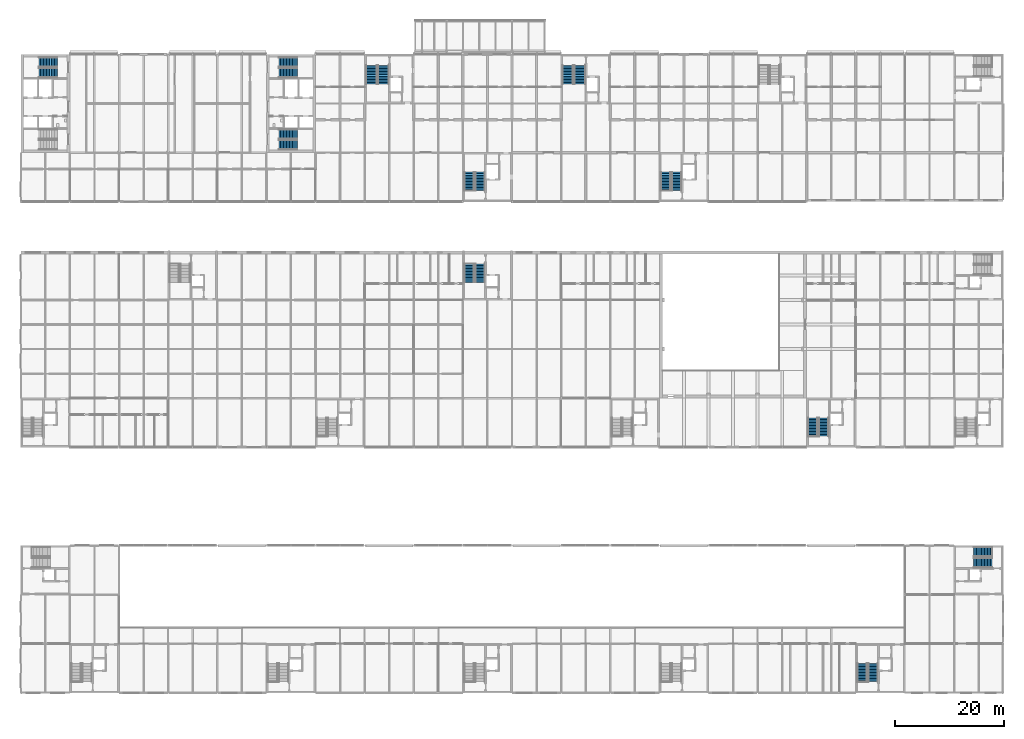
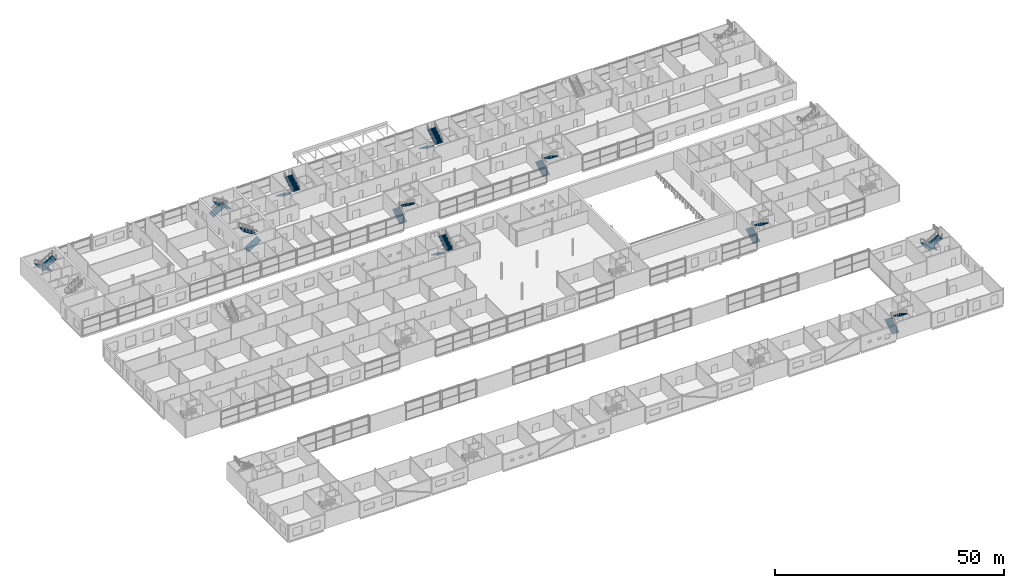
# One storey, part 88 of 97: 22 stair flights, 11 elements without a shape of their own.
"""IFC4 building model written with IfcOpenShell, lengths in metres."""

from ifc_helpers import new_model, si_unit, direction, frame, origin, place, context, subcontext, project, spatial, polyline, outline, extrude, material, type_object, element, aggregate, save


model = new_model("IFC4")

# Units and contexts
model_context = context("Model", 3, precision=1e-05, world=origin(), true_north=direction((0.0, 1.0)))
body_context = subcontext(model_context, "Body", "Model", "MODEL_VIEW")
ifc_project = project(units=[si_unit("LENGTHUNIT", "METRE"), si_unit("AREAUNIT", "SQUARE_METRE"), si_unit("VOLUMEUNIT", "CUBIC_METRE"), si_unit("PLANEANGLEUNIT", "RADIAN"), si_unit("MASSUNIT", "GRAM", prefix="KILO")], contexts=[model_context])

# Site, building, storey
site_placement = place(None, origin())
site = spatial("IfcSite", under=ifc_project, at=site_placement, CompositionType="ELEMENT")
building_placement = place(site_placement, origin())
building = spatial("IfcBuilding", under=site, at=building_placement, Name="Corbel Yard City Hall", CompositionType="ELEMENT")
storey_placement = place(building_placement, frame((0.0, 0.0, 6.0)))
storey = spatial("IfcBuildingStorey", under=building, at=storey_placement, Name="L01", CompositionType="ELEMENT", Elevation=6.0)

# Stair, stair flights
ifc_material = material(Name="Concrete N40 (40 MPa)", Category="concrete")
stair_type_1 = type_object("IfcStairType", Name="ST1", PredefinedType="HALF_TURN_STAIR", material=ifc_material)
stair_1_placement = place(storey_placement, origin())
stair_1 = element("IfcStair", 1, at=stair_1_placement, inside=storey, type_object=stair_type_1, Name="Exit stair L01", PredefinedType="HALF_TURN_STAIR")
stair_flight_type_1 = type_object("IfcStairFlightType", Name="FL1", PredefinedType="STRAIGHT", material=ifc_material)
stair_flight_1_placement = place(storey_placement, frame((154.14990234375, 2.050048828125, 0.0), z_axis=(0.0, 0.0, 1.0), x_axis=(0.0, 1.0, 0.0)))
stair_flight_1 = element("IfcStairFlight", 2, at=stair_flight_1_placement, type_object=stair_flight_type_1, Name="PS5 flight 1", NumberOfRisers=13, NumberOfTreads=12, PredefinedType="STRAIGHT", RiserHeight=0.173077, TreadLength=0.28, context=body_context, shape_type="SweptSolid", body=[
    extrude(outline(polyline([(0.0, 0.0), (0.0, 0.173095703125), (0.280029296875, 0.173095703125), (0.280029296875, 0.34619140625), (0.56005859375, 0.34619140625), (0.56005859375, 0.519287109375), (0.840087890625, 0.519287109375), (0.840087890625, 0.6923828125), (1.1201171875, 0.6923828125), (1.1201171875, 0.865478515625), (1.39990234375, 0.865478515625), (1.39990234375, 1.03857421875), (1.679931640625, 1.03857421875), (1.679931640625, 1.21142578125), (1.9599609375, 1.21142578125), (1.9599609375, 1.384521484375), (2.239990234375, 1.384521484375), (2.239990234375, 1.5576171875), (2.52001953125, 1.5576171875), (2.52001953125, 1.730712890625), (2.800048828125, 1.730712890625), (2.800048828125, 1.90380859375), (3.080078125, 1.90380859375), (3.080078125, 2.076904296875), (3.360107421875, 2.076904296875), (3.360107421875, 2.25), (3.360107421875, 1.900634765625), (0.28515625, 0.0), (0.0, 0.0)])), frame((0.0, 0.89990234375, 0.0), z_axis=(0.0, -1.0, 0.0), x_axis=(1.0, 0.0, 0.0)), (0.0, 0.0, 1.0), 1.800048828125),
])
stair_flight_2_placement = place(storey_placement, frame((156.14990234375, 5.409912109375, 2.25), z_axis=(0.0, 0.0, 1.0), x_axis=(0.0, -1.0, 0.0)))
stair_flight_2 = element("IfcStairFlight", 3, at=stair_flight_2_placement, type_object=stair_flight_type_1, Name="PS5 flight 2", NumberOfRisers=13, NumberOfTreads=12, PredefinedType="STRAIGHT", RiserHeight=0.173077, TreadLength=0.28, context=body_context, shape_type="SweptSolid", body=[
    extrude(outline(polyline([(0.0, 0.0), (0.0, 0.173095703125), (0.280029296875, 0.173095703125), (0.280029296875, 0.34619140625), (0.56005859375, 0.34619140625), (0.56005859375, 0.519287109375), (0.840087890625, 0.519287109375), (0.840087890625, 0.6923828125), (1.1201171875, 0.6923828125), (1.1201171875, 0.865478515625), (1.39990234375, 0.865478515625), (1.39990234375, 1.03857421875), (1.679931640625, 1.03857421875), (1.679931640625, 1.21142578125), (1.9599609375, 1.21142578125), (1.9599609375, 1.384521484375), (2.239990234375, 1.384521484375), (2.239990234375, 1.5576171875), (2.52001953125, 1.5576171875), (2.52001953125, 1.730712890625), (2.800048828125, 1.730712890625), (2.800048828125, 1.90380859375), (3.080078125, 1.90380859375), (3.080078125, 2.076904296875), (3.360107421875, 2.076904296875), (3.360107421875, 2.25), (3.360107421875, 1.900634765625), (0.28515625, 0.0), (0.0, 0.0)])), frame((0.0, 0.89990234375, 0.0), z_axis=(0.0, -1.0, 0.0), x_axis=(1.0, 0.0, 0.0)), (0.0, 0.0, 1.0), 1.800048828125),
])
aggregate(stair_1, [stair_flight_1, stair_flight_2])

stair_2_placement = place(storey_placement, origin())
stair_2 = element("IfcStair", 4, at=stair_2_placement, inside=storey, type_object=stair_type_1, Name="Exit stair L01", PredefinedType="HALF_TURN_STAIR")
stair_flight_3_placement = place(storey_placement, frame((177.949951171875, 25.85009765625, 0.0), z_axis=(0.0, 0.0, 1.0), x_axis=(-1.0, 0.0, 0.0)))
stair_flight_3 = element("IfcStairFlight", 5, at=stair_flight_3_placement, type_object=stair_flight_type_1, Name="PS7 flight 1", NumberOfRisers=13, NumberOfTreads=12, PredefinedType="STRAIGHT", RiserHeight=0.173077, TreadLength=0.28, context=body_context, shape_type="SweptSolid", body=[
    extrude(outline(polyline([(0.0, 0.0), (0.0, 0.173095703125), (0.280029296875, 0.173095703125), (0.280029296875, 0.34619140625), (0.56005859375, 0.34619140625), (0.56005859375, 0.519287109375), (0.840087890625, 0.519287109375), (0.840087890625, 0.6923828125), (1.1201171875, 0.6923828125), (1.1201171875, 0.865478515625), (1.39990234375, 0.865478515625), (1.39990234375, 1.03857421875), (1.679931640625, 1.03857421875), (1.679931640625, 1.21142578125), (1.9599609375, 1.21142578125), (1.9599609375, 1.384521484375), (2.239990234375, 1.384521484375), (2.239990234375, 1.5576171875), (2.52001953125, 1.5576171875), (2.52001953125, 1.730712890625), (2.800048828125, 1.730712890625), (2.800048828125, 1.90380859375), (3.080078125, 1.90380859375), (3.080078125, 2.076904296875), (3.360107421875, 2.076904296875), (3.360107421875, 2.25), (3.360107421875, 1.900634765625), (0.28515625, 0.0), (0.0, 0.0)])), frame((0.0, 0.89990234375, 0.0), z_axis=(0.0, -1.0, 0.0), x_axis=(1.0, 0.0, 0.0)), (0.0, 0.0, 1.0), 1.800048828125),
])
stair_flight_4_placement = place(storey_placement, frame((174.590087890625, 23.85009765625, 2.25), z_axis=(0.0, 0.0, 1.0), x_axis=(1.0, 0.0, 0.0)))
stair_flight_4 = element("IfcStairFlight", 6, at=stair_flight_4_placement, type_object=stair_flight_type_1, Name="PS7 flight 2", NumberOfRisers=13, NumberOfTreads=12, PredefinedType="STRAIGHT", RiserHeight=0.173077, TreadLength=0.28, context=body_context, shape_type="SweptSolid", body=[
    extrude(outline(polyline([(0.0, 0.0), (0.0, 0.173095703125), (0.280029296875, 0.173095703125), (0.280029296875, 0.34619140625), (0.56005859375, 0.34619140625), (0.56005859375, 0.519287109375), (0.840087890625, 0.519287109375), (0.840087890625, 0.6923828125), (1.1201171875, 0.6923828125), (1.1201171875, 0.865478515625), (1.39990234375, 0.865478515625), (1.39990234375, 1.03857421875), (1.679931640625, 1.03857421875), (1.679931640625, 1.21142578125), (1.9599609375, 1.21142578125), (1.9599609375, 1.384521484375), (2.239990234375, 1.384521484375), (2.239990234375, 1.5576171875), (2.52001953125, 1.5576171875), (2.52001953125, 1.730712890625), (2.800048828125, 1.730712890625), (2.800048828125, 1.90380859375), (3.080078125, 1.90380859375), (3.080078125, 2.076904296875), (3.360107421875, 2.076904296875), (3.360107421875, 2.25), (3.360107421875, 1.900634765625), (0.28515625, 0.0), (0.0, 0.0)])), frame((0.0, 0.89990234375, 0.0), z_axis=(0.0, -1.0, 0.0), x_axis=(1.0, 0.0, 0.0)), (0.0, 0.0, 1.0), 1.800048828125),
])
aggregate(stair_2, [stair_flight_3, stair_flight_4])

stair_3_placement = place(storey_placement, origin())
stair_3 = element("IfcStair", 7, at=stair_3_placement, inside=storey, type_object=stair_type_1, Name="Exit stair L01", PredefinedType="HALF_TURN_STAIR")
stair_flight_5_placement = place(storey_placement, frame((145.14990234375, 47.050048828125, 0.0), z_axis=(0.0, 0.0, 1.0), x_axis=(0.0, 1.0, 0.0)))
stair_flight_5 = element("IfcStairFlight", 8, at=stair_flight_5_placement, type_object=stair_flight_type_1, Name="PS11 flight 1", NumberOfRisers=13, NumberOfTreads=12, PredefinedType="STRAIGHT", RiserHeight=0.173077, TreadLength=0.28, context=body_context, shape_type="SweptSolid", body=[
    extrude(outline(polyline([(0.0, 0.0), (0.0, 0.173095703125), (0.280029296875, 0.173095703125), (0.280029296875, 0.34619140625), (0.56005859375, 0.34619140625), (0.56005859375, 0.519287109375), (0.840087890625, 0.519287109375), (0.840087890625, 0.6923828125), (1.1201171875, 0.6923828125), (1.1201171875, 0.865478515625), (1.39990234375, 0.865478515625), (1.39990234375, 1.03857421875), (1.679931640625, 1.03857421875), (1.679931640625, 1.21142578125), (1.9599609375, 1.21142578125), (1.9599609375, 1.384521484375), (2.239990234375, 1.384521484375), (2.239990234375, 1.5576171875), (2.52001953125, 1.5576171875), (2.52001953125, 1.730712890625), (2.800048828125, 1.730712890625), (2.800048828125, 1.90380859375), (3.080078125, 1.90380859375), (3.080078125, 2.076904296875), (3.360107421875, 2.076904296875), (3.360107421875, 2.25), (3.360107421875, 1.900634765625), (0.28515625, 0.0), (0.0, 0.0)])), frame((0.0, 0.89990234375, 0.0), z_axis=(0.0, -1.0, 0.0), x_axis=(1.0, 0.0, 0.0)), (0.0, 0.0, 1.0), 1.800048828125),
])
stair_flight_6_placement = place(storey_placement, frame((147.14990234375, 50.409912109375, 2.25), z_axis=(0.0, 0.0, 1.0), x_axis=(0.0, -1.0, 0.0)))
stair_flight_6 = element("IfcStairFlight", 9, at=stair_flight_6_placement, type_object=stair_flight_type_1, Name="PS11 flight 2", NumberOfRisers=13, NumberOfTreads=12, PredefinedType="STRAIGHT", RiserHeight=0.173077, TreadLength=0.28, context=body_context, shape_type="SweptSolid", body=[
    extrude(outline(polyline([(0.0, 0.0), (0.0, 0.173095703125), (0.280029296875, 0.173095703125), (0.280029296875, 0.34619140625), (0.56005859375, 0.34619140625), (0.56005859375, 0.519287109375), (0.840087890625, 0.519287109375), (0.840087890625, 0.6923828125), (1.1201171875, 0.6923828125), (1.1201171875, 0.865478515625), (1.39990234375, 0.865478515625), (1.39990234375, 1.03857421875), (1.679931640625, 1.03857421875), (1.679931640625, 1.21142578125), (1.9599609375, 1.21142578125), (1.9599609375, 1.384521484375), (2.239990234375, 1.384521484375), (2.239990234375, 1.5576171875), (2.52001953125, 1.5576171875), (2.52001953125, 1.730712890625), (2.800048828125, 1.730712890625), (2.800048828125, 1.90380859375), (3.080078125, 1.90380859375), (3.080078125, 2.076904296875), (3.360107421875, 2.076904296875), (3.360107421875, 2.25), (3.360107421875, 1.900634765625), (0.28515625, 0.0), (0.0, 0.0)])), frame((0.0, 0.89990234375, 0.0), z_axis=(0.0, -1.0, 0.0), x_axis=(1.0, 0.0, 0.0)), (0.0, 0.0, 1.0), 1.800048828125),
])
aggregate(stair_3, [stair_flight_5, stair_flight_6])

stair_4_placement = place(storey_placement, origin())
stair_4 = element("IfcStair", 10, at=stair_4_placement, inside=storey, type_object=stair_type_1, Name="Exit stair L01", PredefinedType="HALF_TURN_STAIR")
stair_flight_7_placement = place(storey_placement, frame((82.14990234375, 78.60009765625, 0.0), z_axis=(0.0, 0.0, 1.0), x_axis=(0.0, -1.0, 0.0)))
stair_flight_7 = element("IfcStairFlight", 11, at=stair_flight_7_placement, type_object=stair_flight_type_1, Name="PS14 flight 1", NumberOfRisers=13, NumberOfTreads=12, PredefinedType="STRAIGHT", RiserHeight=0.173077, TreadLength=0.28, context=body_context, shape_type="SweptSolid", body=[
    extrude(outline(polyline([(0.0, 0.0), (0.0, 0.173095703125), (0.280029296875, 0.173095703125), (0.280029296875, 0.34619140625), (0.56005859375, 0.34619140625), (0.56005859375, 0.519287109375), (0.840087890625, 0.519287109375), (0.840087890625, 0.6923828125), (1.1201171875, 0.6923828125), (1.1201171875, 0.865478515625), (1.39990234375, 0.865478515625), (1.39990234375, 1.03857421875), (1.679931640625, 1.03857421875), (1.679931640625, 1.21142578125), (1.9599609375, 1.21142578125), (1.9599609375, 1.384521484375), (2.239990234375, 1.384521484375), (2.239990234375, 1.5576171875), (2.52001953125, 1.5576171875), (2.52001953125, 1.730712890625), (2.800048828125, 1.730712890625), (2.800048828125, 1.90380859375), (3.080078125, 1.90380859375), (3.080078125, 2.076904296875), (3.360107421875, 2.076904296875), (3.360107421875, 2.25), (3.360107421875, 1.900634765625), (0.28515625, 0.0), (0.0, 0.0)])), frame((0.0, 0.89990234375, 0.0), z_axis=(0.0, -1.0, 0.0), x_axis=(1.0, 0.0, 0.0)), (0.0, 0.0, 1.0), 1.800048828125),
])
stair_flight_8_placement = place(storey_placement, frame((84.14990234375, 75.239990234375, 2.25), z_axis=(0.0, 0.0, 1.0), x_axis=(0.0, 1.0, 0.0)))
stair_flight_8 = element("IfcStairFlight", 12, at=stair_flight_8_placement, type_object=stair_flight_type_1, Name="PS14 flight 2", NumberOfRisers=13, NumberOfTreads=12, PredefinedType="STRAIGHT", RiserHeight=0.173077, TreadLength=0.28, context=body_context, shape_type="SweptSolid", body=[
    extrude(outline(polyline([(0.0, 0.0), (0.0, 0.173095703125), (0.280029296875, 0.173095703125), (0.280029296875, 0.34619140625), (0.56005859375, 0.34619140625), (0.56005859375, 0.519287109375), (0.840087890625, 0.519287109375), (0.840087890625, 0.6923828125), (1.1201171875, 0.6923828125), (1.1201171875, 0.865478515625), (1.39990234375, 0.865478515625), (1.39990234375, 1.03857421875), (1.679931640625, 1.03857421875), (1.679931640625, 1.21142578125), (1.9599609375, 1.21142578125), (1.9599609375, 1.384521484375), (2.239990234375, 1.384521484375), (2.239990234375, 1.5576171875), (2.52001953125, 1.5576171875), (2.52001953125, 1.730712890625), (2.800048828125, 1.730712890625), (2.800048828125, 1.90380859375), (3.080078125, 1.90380859375), (3.080078125, 2.076904296875), (3.360107421875, 2.076904296875), (3.360107421875, 2.25), (3.360107421875, 1.900634765625), (0.28515625, 0.0), (0.0, 0.0)])), frame((0.0, 0.89990234375, 0.0), z_axis=(0.0, -1.0, 0.0), x_axis=(1.0, 0.0, 0.0)), (0.0, 0.0, 1.0), 1.800048828125),
])
aggregate(stair_4, [stair_flight_7, stair_flight_8])

stair_5_placement = place(storey_placement, origin())
stair_5 = element("IfcStair", 13, at=stair_5_placement, inside=storey, type_object=stair_type_1, Name="Exit stair L01", PredefinedType="HALF_TURN_STAIR")
stair_flight_9_placement = place(storey_placement, frame((82.14990234375, 92.050048828125, 0.0), z_axis=(0.0, 0.0, 1.0), x_axis=(0.0, 1.0, 0.0)))
stair_flight_9 = element("IfcStairFlight", 14, at=stair_flight_9_placement, type_object=stair_flight_type_1, Name="PS20 flight 1", NumberOfRisers=13, NumberOfTreads=12, PredefinedType="STRAIGHT", RiserHeight=0.173077, TreadLength=0.28, context=body_context, shape_type="SweptSolid", body=[
    extrude(outline(polyline([(0.0, 0.0), (0.0, 0.173095703125), (0.280029296875, 0.173095703125), (0.280029296875, 0.34619140625), (0.56005859375, 0.34619140625), (0.56005859375, 0.519287109375), (0.840087890625, 0.519287109375), (0.840087890625, 0.6923828125), (1.1201171875, 0.6923828125), (1.1201171875, 0.865478515625), (1.39990234375, 0.865478515625), (1.39990234375, 1.03857421875), (1.679931640625, 1.03857421875), (1.679931640625, 1.21142578125), (1.9599609375, 1.21142578125), (1.9599609375, 1.384521484375), (2.239990234375, 1.384521484375), (2.239990234375, 1.5576171875), (2.52001953125, 1.5576171875), (2.52001953125, 1.730712890625), (2.800048828125, 1.730712890625), (2.800048828125, 1.90380859375), (3.080078125, 1.90380859375), (3.080078125, 2.076904296875), (3.360107421875, 2.076904296875), (3.360107421875, 2.25), (3.360107421875, 1.900634765625), (0.28515625, 0.0), (0.0, 0.0)])), frame((0.0, 0.89990234375, 0.0), z_axis=(0.0, -1.0, 0.0), x_axis=(1.0, 0.0, 0.0)), (0.0, 0.0, 1.0), 1.800048828125),
])
stair_flight_10_placement = place(storey_placement, frame((84.14990234375, 95.409912109375, 2.25), z_axis=(0.0, 0.0, 1.0), x_axis=(0.0, -1.0, 0.0)))
stair_flight_10 = element("IfcStairFlight", 15, at=stair_flight_10_placement, type_object=stair_flight_type_1, Name="PS20 flight 2", NumberOfRisers=13, NumberOfTreads=12, PredefinedType="STRAIGHT", RiserHeight=0.173077, TreadLength=0.28, context=body_context, shape_type="SweptSolid", body=[
    extrude(outline(polyline([(0.0, 0.0), (0.0, 0.173095703125), (0.280029296875, 0.173095703125), (0.280029296875, 0.34619140625), (0.56005859375, 0.34619140625), (0.56005859375, 0.519287109375), (0.840087890625, 0.519287109375), (0.840087890625, 0.6923828125), (1.1201171875, 0.6923828125), (1.1201171875, 0.865478515625), (1.39990234375, 0.865478515625), (1.39990234375, 1.03857421875), (1.679931640625, 1.03857421875), (1.679931640625, 1.21142578125), (1.9599609375, 1.21142578125), (1.9599609375, 1.384521484375), (2.239990234375, 1.384521484375), (2.239990234375, 1.5576171875), (2.52001953125, 1.5576171875), (2.52001953125, 1.730712890625), (2.800048828125, 1.730712890625), (2.800048828125, 1.90380859375), (3.080078125, 1.90380859375), (3.080078125, 2.076904296875), (3.360107421875, 2.076904296875), (3.360107421875, 2.25), (3.360107421875, 1.900634765625), (0.28515625, 0.0), (0.0, 0.0)])), frame((0.0, 0.89990234375, 0.0), z_axis=(0.0, -1.0, 0.0), x_axis=(1.0, 0.0, 0.0)), (0.0, 0.0, 1.0), 1.800048828125),
])
aggregate(stair_5, [stair_flight_9, stair_flight_10])

stair_6_placement = place(storey_placement, origin())
stair_6 = element("IfcStair", 16, at=stair_6_placement, inside=storey, type_object=stair_type_1, Name="Exit stair L01", PredefinedType="HALF_TURN_STAIR")
stair_flight_11_placement = place(storey_placement, frame((118.14990234375, 92.050048828125, 0.0), z_axis=(0.0, 0.0, 1.0), x_axis=(0.0, 1.0, 0.0)))
stair_flight_11 = element("IfcStairFlight", 17, at=stair_flight_11_placement, type_object=stair_flight_type_1, Name="PS21 flight 1", NumberOfRisers=13, NumberOfTreads=12, PredefinedType="STRAIGHT", RiserHeight=0.173077, TreadLength=0.28, context=body_context, shape_type="SweptSolid", body=[
    extrude(outline(polyline([(0.0, 0.0), (0.0, 0.173095703125), (0.280029296875, 0.173095703125), (0.280029296875, 0.34619140625), (0.56005859375, 0.34619140625), (0.56005859375, 0.519287109375), (0.840087890625, 0.519287109375), (0.840087890625, 0.6923828125), (1.1201171875, 0.6923828125), (1.1201171875, 0.865478515625), (1.39990234375, 0.865478515625), (1.39990234375, 1.03857421875), (1.679931640625, 1.03857421875), (1.679931640625, 1.21142578125), (1.9599609375, 1.21142578125), (1.9599609375, 1.384521484375), (2.239990234375, 1.384521484375), (2.239990234375, 1.5576171875), (2.52001953125, 1.5576171875), (2.52001953125, 1.730712890625), (2.800048828125, 1.730712890625), (2.800048828125, 1.90380859375), (3.080078125, 1.90380859375), (3.080078125, 2.076904296875), (3.360107421875, 2.076904296875), (3.360107421875, 2.25), (3.360107421875, 1.900634765625), (0.28515625, 0.0), (0.0, 0.0)])), frame((0.0, 0.89990234375, 0.0), z_axis=(0.0, -1.0, 0.0), x_axis=(1.0, 0.0, 0.0)), (0.0, 0.0, 1.0), 1.800048828125),
])
stair_flight_12_placement = place(storey_placement, frame((120.14990234375, 95.409912109375, 2.25), z_axis=(0.0, 0.0, 1.0), x_axis=(0.0, -1.0, 0.0)))
stair_flight_12 = element("IfcStairFlight", 18, at=stair_flight_12_placement, type_object=stair_flight_type_1, Name="PS21 flight 2", NumberOfRisers=13, NumberOfTreads=12, PredefinedType="STRAIGHT", RiserHeight=0.173077, TreadLength=0.28, context=body_context, shape_type="SweptSolid", body=[
    extrude(outline(polyline([(0.0, 0.0), (0.0, 0.173095703125), (0.280029296875, 0.173095703125), (0.280029296875, 0.34619140625), (0.56005859375, 0.34619140625), (0.56005859375, 0.519287109375), (0.840087890625, 0.519287109375), (0.840087890625, 0.6923828125), (1.1201171875, 0.6923828125), (1.1201171875, 0.865478515625), (1.39990234375, 0.865478515625), (1.39990234375, 1.03857421875), (1.679931640625, 1.03857421875), (1.679931640625, 1.21142578125), (1.9599609375, 1.21142578125), (1.9599609375, 1.384521484375), (2.239990234375, 1.384521484375), (2.239990234375, 1.5576171875), (2.52001953125, 1.5576171875), (2.52001953125, 1.730712890625), (2.800048828125, 1.730712890625), (2.800048828125, 1.90380859375), (3.080078125, 1.90380859375), (3.080078125, 2.076904296875), (3.360107421875, 2.076904296875), (3.360107421875, 2.25), (3.360107421875, 1.900634765625), (0.28515625, 0.0), (0.0, 0.0)])), frame((0.0, 0.89990234375, 0.0), z_axis=(0.0, -1.0, 0.0), x_axis=(1.0, 0.0, 0.0)), (0.0, 0.0, 1.0), 1.800048828125),
])
aggregate(stair_6, [stair_flight_11, stair_flight_12])

stair_7_placement = place(storey_placement, origin())
stair_7 = element("IfcStair", 19, at=stair_7_placement, inside=storey, type_object=stair_type_1, Name="Exit stair ST-W2 L01", PredefinedType="HALF_TURN_STAIR")
stair_flight_13_placement = place(storey_placement, frame((6.699951171875, 115.60009765625, 0.0), z_axis=(0.0, 0.0, 1.0), x_axis=(-1.0, 0.0, 0.0)))
stair_flight_13 = element("IfcStairFlight", 20, at=stair_flight_13_placement, type_object=stair_flight_type_1, Name="ST-W2 flight 1", NumberOfRisers=13, NumberOfTreads=12, PredefinedType="STRAIGHT", RiserHeight=0.173077, TreadLength=0.28, context=body_context, shape_type="SweptSolid", body=[
    extrude(outline(polyline([(0.0, 0.0), (0.0, 0.173095703125), (0.280029296875, 0.173095703125), (0.280029296875, 0.34619140625), (0.56005859375, 0.34619140625), (0.56005859375, 0.519287109375), (0.840087890625, 0.519287109375), (0.840087890625, 0.6923828125), (1.1201171875, 0.6923828125), (1.1201171875, 0.865478515625), (1.39990234375, 0.865478515625), (1.39990234375, 1.03857421875), (1.679931640625, 1.03857421875), (1.679931640625, 1.21142578125), (1.9599609375, 1.21142578125), (1.9599609375, 1.384521484375), (2.239990234375, 1.384521484375), (2.239990234375, 1.5576171875), (2.52001953125, 1.5576171875), (2.52001953125, 1.730712890625), (2.800048828125, 1.730712890625), (2.800048828125, 1.90380859375), (3.080078125, 1.90380859375), (3.080078125, 2.076904296875), (3.360107421875, 2.076904296875), (3.360107421875, 2.25), (3.360107421875, 1.900634765625), (0.28515625, 0.0), (0.0, 0.0)])), frame((0.0, 0.89990234375, 0.0), z_axis=(0.0, -1.0, 0.0), x_axis=(1.0, 0.0, 0.0)), (0.0, 0.0, 1.0), 1.800048828125),
])
stair_flight_14_placement = place(storey_placement, frame((3.340087890625, 113.60009765625, 2.25), z_axis=(0.0, 0.0, 1.0), x_axis=(1.0, 0.0, 0.0)))
stair_flight_14 = element("IfcStairFlight", 21, at=stair_flight_14_placement, type_object=stair_flight_type_1, Name="ST-W2 flight 2", NumberOfRisers=13, NumberOfTreads=12, PredefinedType="STRAIGHT", RiserHeight=0.173077, TreadLength=0.28, context=body_context, shape_type="SweptSolid", body=[
    extrude(outline(polyline([(0.0, 0.0), (0.0, 0.173095703125), (0.280029296875, 0.173095703125), (0.280029296875, 0.34619140625), (0.56005859375, 0.34619140625), (0.56005859375, 0.519287109375), (0.840087890625, 0.519287109375), (0.840087890625, 0.6923828125), (1.1201171875, 0.6923828125), (1.1201171875, 0.865478515625), (1.39990234375, 0.865478515625), (1.39990234375, 1.03857421875), (1.679931640625, 1.03857421875), (1.679931640625, 1.21142578125), (1.9599609375, 1.21142578125), (1.9599609375, 1.384521484375), (2.239990234375, 1.384521484375), (2.239990234375, 1.5576171875), (2.52001953125, 1.5576171875), (2.52001953125, 1.730712890625), (2.800048828125, 1.730712890625), (2.800048828125, 1.90380859375), (3.080078125, 1.90380859375), (3.080078125, 2.076904296875), (3.360107421875, 2.076904296875), (3.360107421875, 2.25), (3.360107421875, 1.900634765625), (0.28515625, 0.0), (0.0, 0.0)])), frame((0.0, 0.89990234375, 0.0), z_axis=(0.0, -1.0, 0.0), x_axis=(1.0, 0.0, 0.0)), (0.0, 0.0, 1.0), 1.800048828125),
])
aggregate(stair_7, [stair_flight_13, stair_flight_14])

stair_8_placement = place(storey_placement, origin())
stair_8 = element("IfcStair", 22, at=stair_8_placement, inside=storey, type_object=stair_type_1, Name="Exit stair ST-E1 L01", PredefinedType="HALF_TURN_STAIR")
stair_flight_15_placement = place(storey_placement, frame((47.300048828125, 100.39990234375, 0.0), z_axis=(0.0, 0.0, 1.0), x_axis=(1.0, 0.0, 0.0)))
stair_flight_15 = element("IfcStairFlight", 23, at=stair_flight_15_placement, type_object=stair_flight_type_1, Name="ST-E1 flight 1", NumberOfRisers=13, NumberOfTreads=12, PredefinedType="STRAIGHT", RiserHeight=0.173077, TreadLength=0.28, context=body_context, shape_type="SweptSolid", body=[
    extrude(outline(polyline([(0.0, 0.0), (0.0, 0.173095703125), (0.280029296875, 0.173095703125), (0.280029296875, 0.34619140625), (0.56005859375, 0.34619140625), (0.56005859375, 0.519287109375), (0.840087890625, 0.519287109375), (0.840087890625, 0.6923828125), (1.1201171875, 0.6923828125), (1.1201171875, 0.865478515625), (1.39990234375, 0.865478515625), (1.39990234375, 1.03857421875), (1.679931640625, 1.03857421875), (1.679931640625, 1.21142578125), (1.9599609375, 1.21142578125), (1.9599609375, 1.384521484375), (2.239990234375, 1.384521484375), (2.239990234375, 1.5576171875), (2.52001953125, 1.5576171875), (2.52001953125, 1.730712890625), (2.800048828125, 1.730712890625), (2.800048828125, 1.90380859375), (3.080078125, 1.90380859375), (3.080078125, 2.076904296875), (3.360107421875, 2.076904296875), (3.360107421875, 2.25), (3.360107421875, 1.900634765625), (0.28515625, 0.0), (0.0, 0.0)])), frame((0.0, 0.89990234375, 0.0), z_axis=(0.0, -1.0, 0.0), x_axis=(1.0, 0.0, 0.0)), (0.0, 0.0, 1.0), 1.800048828125),
])
stair_flight_16_placement = place(storey_placement, frame((50.659912109375, 102.39990234375, 2.25), z_axis=(0.0, 0.0, 1.0), x_axis=(-1.0, 0.0, 0.0)))
stair_flight_16 = element("IfcStairFlight", 24, at=stair_flight_16_placement, type_object=stair_flight_type_1, Name="ST-E1 flight 2", NumberOfRisers=13, NumberOfTreads=12, PredefinedType="STRAIGHT", RiserHeight=0.173077, TreadLength=0.28, context=body_context, shape_type="SweptSolid", body=[
    extrude(outline(polyline([(0.0, 0.0), (0.0, 0.173095703125), (0.280029296875, 0.173095703125), (0.280029296875, 0.34619140625), (0.56005859375, 0.34619140625), (0.56005859375, 0.519287109375), (0.840087890625, 0.519287109375), (0.840087890625, 0.6923828125), (1.1201171875, 0.6923828125), (1.1201171875, 0.865478515625), (1.39990234375, 0.865478515625), (1.39990234375, 1.03857421875), (1.679931640625, 1.03857421875), (1.679931640625, 1.21142578125), (1.9599609375, 1.21142578125), (1.9599609375, 1.384521484375), (2.239990234375, 1.384521484375), (2.239990234375, 1.5576171875), (2.52001953125, 1.5576171875), (2.52001953125, 1.730712890625), (2.800048828125, 1.730712890625), (2.800048828125, 1.90380859375), (3.080078125, 1.90380859375), (3.080078125, 2.076904296875), (3.360107421875, 2.076904296875), (3.360107421875, 2.25), (3.360107421875, 1.900634765625), (0.28515625, 0.0), (0.0, 0.0)])), frame((0.0, 0.89990234375, 0.0), z_axis=(0.0, -1.0, 0.0), x_axis=(1.0, 0.0, 0.0)), (0.0, 0.0, 1.0), 1.800048828125),
])
aggregate(stair_8, [stair_flight_15, stair_flight_16])

stair_9_placement = place(storey_placement, origin())
stair_9 = element("IfcStair", 25, at=stair_9_placement, inside=storey, type_object=stair_type_1, Name="Exit stair ST-E2 L01", PredefinedType="HALF_TURN_STAIR")
stair_flight_17_placement = place(storey_placement, frame((47.300048828125, 115.60009765625, 0.0), z_axis=(0.0, 0.0, 1.0), x_axis=(1.0, 0.0, 0.0)))
stair_flight_17 = element("IfcStairFlight", 26, at=stair_flight_17_placement, type_object=stair_flight_type_1, Name="ST-E2 flight 1", NumberOfRisers=13, NumberOfTreads=12, PredefinedType="STRAIGHT", RiserHeight=0.173077, TreadLength=0.28, context=body_context, shape_type="SweptSolid", body=[
    extrude(outline(polyline([(0.0, 0.0), (0.0, 0.173095703125), (0.280029296875, 0.173095703125), (0.280029296875, 0.34619140625), (0.56005859375, 0.34619140625), (0.56005859375, 0.519287109375), (0.840087890625, 0.519287109375), (0.840087890625, 0.6923828125), (1.1201171875, 0.6923828125), (1.1201171875, 0.865478515625), (1.39990234375, 0.865478515625), (1.39990234375, 1.03857421875), (1.679931640625, 1.03857421875), (1.679931640625, 1.21142578125), (1.9599609375, 1.21142578125), (1.9599609375, 1.384521484375), (2.239990234375, 1.384521484375), (2.239990234375, 1.5576171875), (2.52001953125, 1.5576171875), (2.52001953125, 1.730712890625), (2.800048828125, 1.730712890625), (2.800048828125, 1.90380859375), (3.080078125, 1.90380859375), (3.080078125, 2.076904296875), (3.360107421875, 2.076904296875), (3.360107421875, 2.25), (3.360107421875, 1.900634765625), (0.28515625, 0.0), (0.0, 0.0)])), frame((0.0, 0.89990234375, 0.0), z_axis=(0.0, -1.0, 0.0), x_axis=(1.0, 0.0, 0.0)), (0.0, 0.0, 1.0), 1.800048828125),
])
stair_flight_18_placement = place(storey_placement, frame((50.659912109375, 113.60009765625, 2.25), z_axis=(0.0, 0.0, 1.0), x_axis=(-1.0, 0.0, 0.0)))
stair_flight_18 = element("IfcStairFlight", 27, at=stair_flight_18_placement, type_object=stair_flight_type_1, Name="ST-E2 flight 2", NumberOfRisers=13, NumberOfTreads=12, PredefinedType="STRAIGHT", RiserHeight=0.173077, TreadLength=0.28, context=body_context, shape_type="SweptSolid", body=[
    extrude(outline(polyline([(0.0, 0.0), (0.0, 0.173095703125), (0.280029296875, 0.173095703125), (0.280029296875, 0.34619140625), (0.56005859375, 0.34619140625), (0.56005859375, 0.519287109375), (0.840087890625, 0.519287109375), (0.840087890625, 0.6923828125), (1.1201171875, 0.6923828125), (1.1201171875, 0.865478515625), (1.39990234375, 0.865478515625), (1.39990234375, 1.03857421875), (1.679931640625, 1.03857421875), (1.679931640625, 1.21142578125), (1.9599609375, 1.21142578125), (1.9599609375, 1.384521484375), (2.239990234375, 1.384521484375), (2.239990234375, 1.5576171875), (2.52001953125, 1.5576171875), (2.52001953125, 1.730712890625), (2.800048828125, 1.730712890625), (2.800048828125, 1.90380859375), (3.080078125, 1.90380859375), (3.080078125, 2.076904296875), (3.360107421875, 2.076904296875), (3.360107421875, 2.25), (3.360107421875, 1.900634765625), (0.28515625, 0.0), (0.0, 0.0)])), frame((0.0, 0.89990234375, 0.0), z_axis=(0.0, -1.0, 0.0), x_axis=(1.0, 0.0, 0.0)), (0.0, 0.0, 1.0), 1.800048828125),
])
aggregate(stair_9, [stair_flight_17, stair_flight_18])

stair_type_2 = type_object("IfcStairType", Name="ST31", PredefinedType="HALF_TURN_STAIR", material=ifc_material)
stair_10_placement = place(storey_placement, origin())
stair_10 = element("IfcStair", 28, at=stair_10_placement, inside=storey, type_object=stair_type_2, Name="Exit stair L01", PredefinedType="HALF_TURN_STAIR")
stair_flight_type_2 = type_object("IfcStairFlightType", Name="FL31", PredefinedType="STRAIGHT", material=ifc_material)
stair_flight_19_placement = place(storey_placement, frame((64.25, 114.949951171875, 0.0), z_axis=(0.0, 0.0, 1.0), x_axis=(0.0, -1.0, 0.0)))
stair_flight_19 = element("IfcStairFlight", 29, at=stair_flight_19_placement, type_object=stair_flight_type_2, Name="PS16 flight 1", NumberOfRisers=13, NumberOfTreads=12, PredefinedType="STRAIGHT", RiserHeight=0.173077, TreadLength=0.28, context=body_context, shape_type="SweptSolid", body=[
    extrude(outline(polyline([(0.0, 0.0), (0.0, 0.173095703125), (0.280029296875, 0.173095703125), (0.280029296875, 0.34619140625), (0.56005859375, 0.34619140625), (0.56005859375, 0.519287109375), (0.840087890625, 0.519287109375), (0.840087890625, 0.6923828125), (1.1201171875, 0.6923828125), (1.1201171875, 0.865478515625), (1.39990234375, 0.865478515625), (1.39990234375, 1.03857421875), (1.679931640625, 1.03857421875), (1.679931640625, 1.21142578125), (1.9599609375, 1.21142578125), (1.9599609375, 1.384521484375), (2.239990234375, 1.384521484375), (2.239990234375, 1.5576171875), (2.52001953125, 1.5576171875), (2.52001953125, 1.730712890625), (2.800048828125, 1.730712890625), (2.800048828125, 1.90380859375), (3.080078125, 1.90380859375), (3.080078125, 2.076904296875), (3.360107421875, 2.076904296875), (3.360107421875, 2.25), (3.360107421875, 1.900634765625), (0.28515625, 0.0), (0.0, 0.0)])), frame((0.0, 1.0, 0.0), z_axis=(0.0, -1.0, 0.0), x_axis=(1.0, 0.0, 0.0)), (0.0, 0.0, 1.0), 2.0),
])
stair_flight_20_placement = place(storey_placement, frame((66.449951171875, 111.590087890625, 2.25), z_axis=(0.0, 0.0, 1.0), x_axis=(0.0, 1.0, 0.0)))
stair_flight_20 = element("IfcStairFlight", 30, at=stair_flight_20_placement, type_object=stair_flight_type_2, Name="PS16 flight 2", NumberOfRisers=13, NumberOfTreads=12, PredefinedType="STRAIGHT", RiserHeight=0.173077, TreadLength=0.28, context=body_context, shape_type="SweptSolid", body=[
    extrude(outline(polyline([(0.0, 0.0), (0.0, 0.173095703125), (0.280029296875, 0.173095703125), (0.280029296875, 0.34619140625), (0.56005859375, 0.34619140625), (0.56005859375, 0.519287109375), (0.840087890625, 0.519287109375), (0.840087890625, 0.6923828125), (1.1201171875, 0.6923828125), (1.1201171875, 0.865478515625), (1.39990234375, 0.865478515625), (1.39990234375, 1.03857421875), (1.679931640625, 1.03857421875), (1.679931640625, 1.21142578125), (1.9599609375, 1.21142578125), (1.9599609375, 1.384521484375), (2.239990234375, 1.384521484375), (2.239990234375, 1.5576171875), (2.52001953125, 1.5576171875), (2.52001953125, 1.730712890625), (2.800048828125, 1.730712890625), (2.800048828125, 1.90380859375), (3.080078125, 1.90380859375), (3.080078125, 2.076904296875), (3.360107421875, 2.076904296875), (3.360107421875, 2.25), (3.360107421875, 1.900634765625), (0.28515625, 0.0), (0.0, 0.0)])), frame((0.0, 1.0, 0.0), z_axis=(0.0, -1.0, 0.0), x_axis=(1.0, 0.0, 0.0)), (0.0, 0.0, 1.0), 2.0),
])
aggregate(stair_10, [stair_flight_19, stair_flight_20])

stair_11_placement = place(storey_placement, origin())
stair_11 = element("IfcStair", 31, at=stair_11_placement, inside=storey, type_object=stair_type_2, Name="Exit stair L01", PredefinedType="HALF_TURN_STAIR")
stair_flight_21_placement = place(storey_placement, frame((100.25, 114.949951171875, 0.0), z_axis=(0.0, 0.0, 1.0), x_axis=(0.0, -1.0, 0.0)))
stair_flight_21 = element("IfcStairFlight", 32, at=stair_flight_21_placement, type_object=stair_flight_type_2, Name="PS17 flight 1", NumberOfRisers=13, NumberOfTreads=12, PredefinedType="STRAIGHT", RiserHeight=0.173077, TreadLength=0.28, context=body_context, shape_type="SweptSolid", body=[
    extrude(outline(polyline([(0.0, 0.0), (0.0, 0.173095703125), (0.280029296875, 0.173095703125), (0.280029296875, 0.34619140625), (0.56005859375, 0.34619140625), (0.56005859375, 0.519287109375), (0.840087890625, 0.519287109375), (0.840087890625, 0.6923828125), (1.1201171875, 0.6923828125), (1.1201171875, 0.865478515625), (1.39990234375, 0.865478515625), (1.39990234375, 1.03857421875), (1.679931640625, 1.03857421875), (1.679931640625, 1.21142578125), (1.9599609375, 1.21142578125), (1.9599609375, 1.384521484375), (2.239990234375, 1.384521484375), (2.239990234375, 1.5576171875), (2.52001953125, 1.5576171875), (2.52001953125, 1.730712890625), (2.800048828125, 1.730712890625), (2.800048828125, 1.90380859375), (3.080078125, 1.90380859375), (3.080078125, 2.076904296875), (3.360107421875, 2.076904296875), (3.360107421875, 2.25), (3.360107421875, 1.900634765625), (0.28515625, 0.0), (0.0, 0.0)])), frame((0.0, 1.0, 0.0), z_axis=(0.0, -1.0, 0.0), x_axis=(1.0, 0.0, 0.0)), (0.0, 0.0, 1.0), 2.0),
])
stair_flight_22_placement = place(storey_placement, frame((102.449951171875, 111.590087890625, 2.25), z_axis=(0.0, 0.0, 1.0), x_axis=(0.0, 1.0, 0.0)))
stair_flight_22 = element("IfcStairFlight", 33, at=stair_flight_22_placement, type_object=stair_flight_type_2, Name="PS17 flight 2", NumberOfRisers=13, NumberOfTreads=12, PredefinedType="STRAIGHT", RiserHeight=0.173077, TreadLength=0.28, context=body_context, shape_type="SweptSolid", body=[
    extrude(outline(polyline([(0.0, 0.0), (0.0, 0.173095703125), (0.280029296875, 0.173095703125), (0.280029296875, 0.34619140625), (0.56005859375, 0.34619140625), (0.56005859375, 0.519287109375), (0.840087890625, 0.519287109375), (0.840087890625, 0.6923828125), (1.1201171875, 0.6923828125), (1.1201171875, 0.865478515625), (1.39990234375, 0.865478515625), (1.39990234375, 1.03857421875), (1.679931640625, 1.03857421875), (1.679931640625, 1.21142578125), (1.9599609375, 1.21142578125), (1.9599609375, 1.384521484375), (2.239990234375, 1.384521484375), (2.239990234375, 1.5576171875), (2.52001953125, 1.5576171875), (2.52001953125, 1.730712890625), (2.800048828125, 1.730712890625), (2.800048828125, 1.90380859375), (3.080078125, 1.90380859375), (3.080078125, 2.076904296875), (3.360107421875, 2.076904296875), (3.360107421875, 2.25), (3.360107421875, 1.900634765625), (0.28515625, 0.0), (0.0, 0.0)])), frame((0.0, 1.0, 0.0), z_axis=(0.0, -1.0, 0.0), x_axis=(1.0, 0.0, 0.0)), (0.0, 0.0, 1.0), 2.0),
])
aggregate(stair_11, [stair_flight_21, stair_flight_22])

save(model, "model.ifc")
